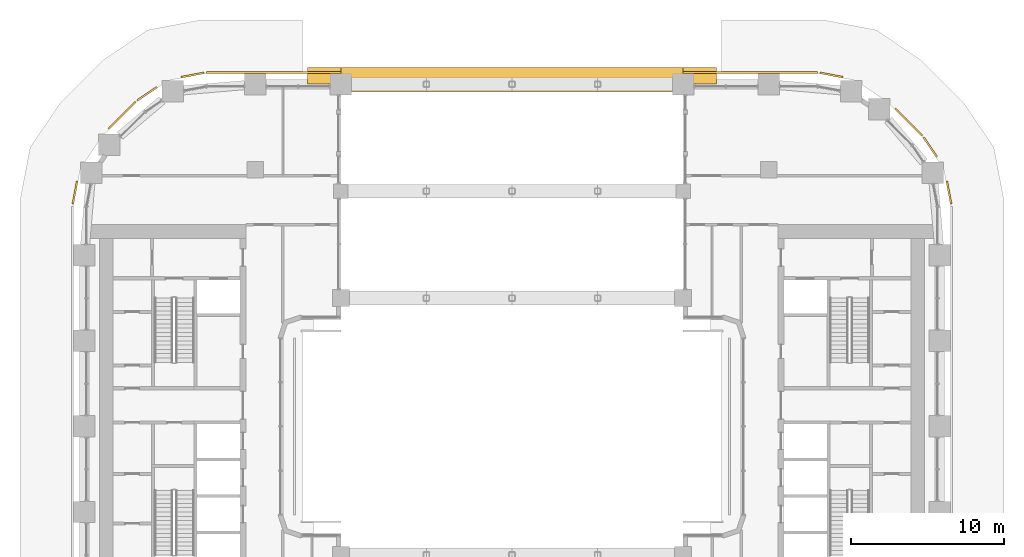
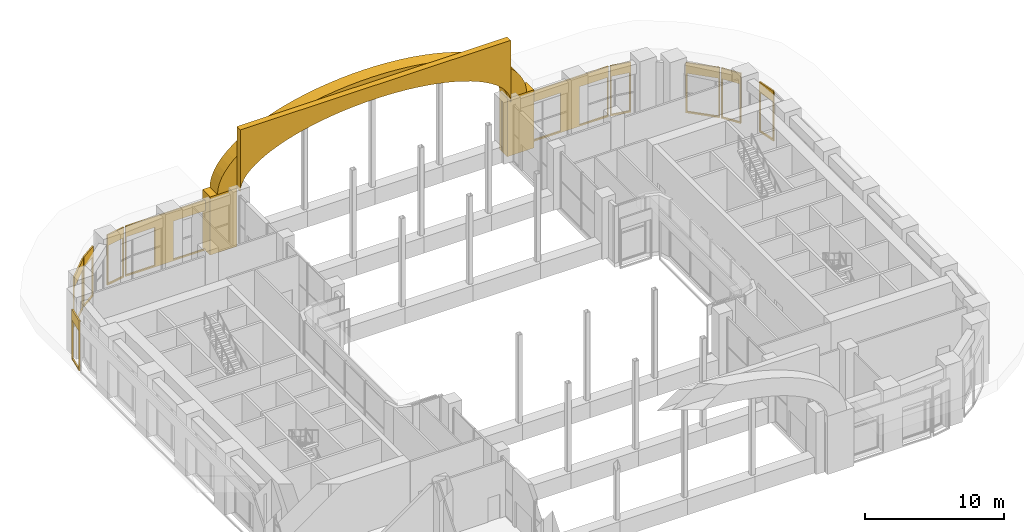
# One storey, part 27 of 27: 14 coverings.
"""IFC4 building model written with IfcOpenShell, lengths in metres."""

from ifc_helpers import new_model, si_unit, direction, frame, origin, origin_2d, place, context, subcontext, project, spatial, polyline, rectangle, outline, extrude, material, layer, layer_set, type_object, element, save


model = new_model("IFC4")

# Units and contexts
model_context = context("Model", 3, precision=1e-05, world=origin(), true_north=direction((0.0, 1.0)))
body_context = subcontext(model_context, "Body", "Model", "MODEL_VIEW")
ifc_project = project(units=[si_unit("LENGTHUNIT", "METRE"), si_unit("AREAUNIT", "SQUARE_METRE"), si_unit("VOLUMEUNIT", "CUBIC_METRE"), si_unit("PLANEANGLEUNIT", "RADIAN"), si_unit("MASSUNIT", "GRAM", prefix="KILO")], contexts=[model_context])

# Site, building, storey
site_placement = place(None, origin())
site = spatial("IfcSite", under=ifc_project, at=site_placement, CompositionType="ELEMENT")
building_placement = place(site_placement, origin())
building = spatial("IfcBuilding", under=site, at=building_placement, Name="Kiln Ring Residences", CompositionType="ELEMENT")
storey_placement = place(building_placement, frame((0.0, 0.0, 72.5)))
storey = spatial("IfcBuildingStorey", under=building, at=storey_placement, Name="L18", CompositionType="ELEMENT", Elevation=72.5)

# Coverings
ifc_material_1 = material(Name="Concrete C35/45, exposed aggregate finish", Category="concrete")
covering_type_1 = type_object("IfcCoveringType", Name="PORTAL ARCHIVOLT 700", PredefinedType="CLADDING", material=ifc_material_1)
covering_1_placement = place(storey_placement, frame((-12.800048828125, 22.949951171875, 5.10009765625), z_axis=(0.0, 0.0, 1.0), x_axis=(1.0, 0.0, 0.0)))
element("IfcCovering", 1, at=covering_1_placement, inside=storey, type_object=covering_type_1, Name="PORTAL ARCHIVOLT L18", PredefinedType="CLADDING", context=body_context, shape_type="SweptSolid", body=[
    extrude(outline(polyline([(25.60009765625, 0.0), (25.560546875, 0.455078125), (25.4423828125, 0.9072265625), (25.246337890625, 1.35400390625), (24.973388671875, 1.792236328125), (24.625732421875, 2.219482421875), (24.204833984375, 2.633056640625), (23.7138671875, 3.030517578125), (23.155517578125, 3.4091796875), (22.533203125, 3.7666015625), (21.85107421875, 4.10107421875), (21.11279296875, 4.410400390625), (20.32373046875, 4.692138671875), (19.488037109375, 4.9453125), (18.611083984375, 5.167724609375), (17.6982421875, 5.3583984375), (16.75537109375, 5.51611328125), (15.7880859375, 5.6396484375), (14.802490234375, 5.728515625), (13.80419921875, 5.781982421875), (12.800048828125, 5.7998046875), (11.795654296875, 5.781982421875), (10.797607421875, 5.728515625), (9.81201171875, 5.6396484375), (8.844482421875, 5.51611328125), (7.901611328125, 5.3583984375), (6.989013671875, 5.167724609375), (6.112060546875, 4.9453125), (5.2763671875, 4.692138671875), (4.487060546875, 4.410400390625), (3.7490234375, 4.10107421875), (3.06689453125, 3.7666015625), (2.444580078125, 3.4091796875), (1.88623046875, 3.030517578125), (1.39501953125, 2.633056640625), (0.974365234375, 2.219482421875), (0.62646484375, 1.792236328125), (0.353759765625, 1.35400390625), (0.15771484375, 0.9072265625), (0.03955078125, 0.455078125), (0.0, 0.0), (1.60009765625, 0.0), (1.634521484375, 0.329345703125), (1.73779296875, 0.656982421875), (1.909423828125, 0.98046875), (2.148193359375, 1.2978515625), (2.452392578125, 1.607177734375), (2.82080078125, 1.90673828125), (3.25048828125, 2.1943359375), (3.739013671875, 2.468505859375), (4.283447265625, 2.7275390625), (4.88037109375, 2.9697265625), (5.526123046875, 3.193603515625), (6.216796875, 3.397705078125), (6.947998046875, 3.5810546875), (7.71533203125, 3.7421875), (8.513916015625, 3.880126953125), (9.339111328125, 3.994384765625), (10.185302734375, 4.083984375), (11.0478515625, 4.148193359375), (11.92138671875, 4.18701171875), (12.800048828125, 4.199951171875), (13.6787109375, 4.18701171875), (14.552001953125, 4.148193359375), (15.41455078125, 4.083984375), (16.260986328125, 3.994384765625), (17.086181640625, 3.880126953125), (17.884765625, 3.7421875), (18.652099609375, 3.5810546875), (19.38330078125, 3.397705078125), (20.07373046875, 3.193603515625), (20.719482421875, 2.9697265625), (21.31640625, 2.7275390625), (21.861083984375, 2.468505859375), (22.349609375, 2.1943359375), (22.779296875, 1.90673828125), (23.1474609375, 1.607177734375), (23.451904296875, 1.2978515625), (23.6904296875, 0.98046875), (23.862060546875, 0.656982421875), (23.965576171875, 0.329345703125), (24.0, 0.0), (25.60009765625, 0.0)])), frame((0.0, 0.550048828125, 0.0), z_axis=(0.0, -1.0, 0.0), x_axis=(1.0, 0.0, 0.0)), (0.0, 0.0, 1.0), 1.10009765625),
])
ifc_material_2 = material(Name="Concrete C35/45, exposed aggregate finish", Category="concrete")
covering_type_2 = type_object("IfcCoveringType", Name="PORTAL JAMB 1400 x 700", PredefinedType="CLADDING", material=ifc_material_2)
for number, where, z_axis, x_axis, name in (
    (2, (-12.300048828125, 22.949951171875, 0.0), (0.0, 0.0, 1.0), (1.0, 0.0, 0.0), "PORTAL JAMB L18"),
    (3, (12.300048828125, 22.949951171875, 0.0), (0.0, 0.0, 1.0), (1.0, 0.0, 0.0), "PORTAL JAMB L18"),
):
    element("IfcCovering", number, at=place(storey_placement, frame(where, z_axis=z_axis, x_axis=x_axis)), inside=storey, type_object=covering_type_2, Name=name, PredefinedType="CLADDING", context=body_context, shape_type="SweptSolid", body=[
        extrude(rectangle(XDim=2.199951171875, YDim=1.10009765625, at=origin_2d()), origin(), (0.0, 0.0, 1.0), 5.10009765625),
    ])
ifc_material_3 = material(Name="Concrete C35/45, exposed aggregate finish", Category="concrete")
ifc_layer_1 = layer(ifc_material_3, 0.5)
ifc_layer_set_1 = layer_set([ifc_layer_1], Name="PORTAL TYMPANUM 500")
covering_type_3 = type_object("IfcCoveringType", Name="PORTAL TYMPANUM 500", PredefinedType="CLADDING", material=ifc_layer_set_1)
covering_2_placement = place(storey_placement, frame((-11.199951171875, 22.14990234375, 5.10009765625), z_axis=(0.0, 0.0, 1.0), x_axis=(1.0, 0.0, 0.0)))
element("IfcCovering", 4, at=covering_2_placement, inside=storey, type_object=covering_type_3, Name="PORTAL TYMPANUM L18", PredefinedType="CLADDING", context=body_context, shape_type="SweptSolid", body=[
    extrude(outline(polyline([(0.0, 0.0), (0.0, 5.39990234375), (22.39990234375, 5.39990234375), (22.39990234375, 0.0), (22.365478515625, 0.329345703125), (22.26220703125, 0.656982421875), (22.090576171875, 0.98046875), (21.851806640625, 1.2978515625), (21.547607421875, 1.607177734375), (21.17919921875, 1.90673828125), (20.74951171875, 2.1943359375), (20.260986328125, 2.468505859375), (19.716552734375, 2.7275390625), (19.11962890625, 2.9697265625), (18.473876953125, 3.193603515625), (17.783203125, 3.397705078125), (17.052001953125, 3.5810546875), (16.28466796875, 3.7421875), (15.486083984375, 3.880126953125), (14.660888671875, 3.994384765625), (13.814697265625, 4.083984375), (12.9521484375, 4.148193359375), (12.07861328125, 4.18701171875), (11.199951171875, 4.199951171875), (10.3212890625, 4.18701171875), (9.447998046875, 4.148193359375), (8.58544921875, 4.083984375), (7.739013671875, 3.994384765625), (6.913818359375, 3.880126953125), (6.115234375, 3.7421875), (5.347900390625, 3.5810546875), (4.61669921875, 3.397705078125), (3.92626953125, 3.193603515625), (3.280517578125, 2.9697265625), (2.68359375, 2.7275390625), (2.138916015625, 2.468505859375), (1.650390625, 2.1943359375), (1.220703125, 1.90673828125), (0.8525390625, 1.607177734375), (0.548095703125, 1.2978515625), (0.3095703125, 0.98046875), (0.137939453125, 0.656982421875), (0.034423828125, 0.329345703125), (0.0, 0.0)])), frame((0.0, 0.25, 0.0), z_axis=(0.0, -1.0, 0.0), x_axis=(1.0, 0.0, 0.0)), (0.0, 0.0, 1.0), 0.5),
])
ifc_material_4 = material(Name="Brick masonry, dark clay brick", Category="masonry")
ifc_layer_2 = layer(ifc_material_4, 0.1201171875)
ifc_layer_set_2 = layer_set([ifc_layer_2], Name="RAINSCREEN PANEL 120")
covering_type_4 = type_object("IfcCoveringType", Name="RAINSCREEN PANEL 120", PredefinedType="CLADDING", material=ifc_layer_set_2)
covering_3_placement = place(storey_placement, frame((-11.199951171875, 23.159912109375, 0.0), z_axis=(0.0, 0.0, 1.0), x_axis=(-1.0, 0.0, 0.0)))
element("IfcCovering", 5, at=covering_3_placement, inside=storey, type_object=covering_type_4, Name="RAINSCREEN L18", PredefinedType="CLADDING", context=body_context, shape_type="SweptSolid", body=[
    extrude(outline(polyline([(0.0, 0.0), (8.800048828125, 0.0), (8.800048828125, 4.39990234375), (0.0, 4.39990234375), (0.0, 0.0)]), holes=[polyline([(4.820068359375, 3.469970703125), (0.780029296875, 3.469970703125), (0.780029296875, 0.1298828125), (4.820068359375, 0.1298828125), (4.820068359375, 3.469970703125)]), polyline([(8.719970703125, 3.469970703125), (6.3798828125, 3.469970703125), (6.3798828125, 0.1298828125), (8.719970703125, 0.1298828125), (8.719970703125, 3.469970703125)])]), frame((0.0, 0.06005859375, 0.0), z_axis=(0.0, -1.0, 0.0), x_axis=(1.0, 0.0, 0.0)), (0.0, 0.0, 1.0), 0.1201171875),
])
for number, where, z_axis, x_axis, name in (
    (6, (-20.142333984375, 23.146484375, 0.0), (0.0, 0.0, 1.0), (-0.982297345734, -0.187328386968, 0.0), "RAINSCREEN L18"),
    (7, (-23.2373046875, 22.206298828125, 0.0), (0.0, 0.0, 1.0), (-0.827019875346, -0.562172683241, 0.0), "RAINSCREEN L18"),
):
    element("IfcCovering", number, at=place(storey_placement, frame(where, z_axis=z_axis, x_axis=x_axis)), inside=storey, type_object=covering_type_4, Name=name, PredefinedType="CLADDING", context=body_context, shape_type="SweptSolid", body=[
        extrude(outline(polyline([(0.0, 0.0), (1.55615234375, 0.0), (1.55615234375, 4.39990234375), (0.0, 4.39990234375), (0.0, 0.0)]), holes=[polyline([(0.080078125, 3.469970703125), (0.080078125, 0.1298828125), (1.47607421875, 0.1298828125), (1.47607421875, 3.469970703125), (0.080078125, 3.469970703125)])]), frame((0.0, 0.06005859375, 0.0), z_axis=(0.0, -1.0, 0.0), x_axis=(1.0, 0.0, 0.0)), (0.0, 0.0, 1.0), 0.1201171875),
    ])
covering_4_placement = place(storey_placement, frame((-24.634521484375, 21.240234375, 0.0), z_axis=(0.0, 0.0, 1.0), x_axis=(-0.707155609469, -0.707057949532, 0.0)))
element("IfcCovering", 8, at=covering_4_placement, inside=storey, type_object=covering_type_4, Name="RAINSCREEN L18", PredefinedType="CLADDING", context=body_context, shape_type="SweptSolid", body=[
    extrude(outline(polyline([(0.0, 0.0), (2.5, 0.0), (2.5, 4.39990234375), (0.0, 4.39990234375), (0.0, 0.0)]), holes=[polyline([(0.080078125, 3.469970703125), (0.080078125, 0.1298828125), (2.419921875, 0.1298828125), (2.419921875, 3.469970703125), (0.080078125, 3.469970703125)])]), frame((0.0, 0.06005859375, 0.0), z_axis=(0.0, -1.0, 0.0), x_axis=(1.0, 0.0, 0.0)), (0.0, 0.0, 1.0), 0.1201171875),
])
for number, where, z_axis, x_axis, name in (
    (9, (-28.455078125, 16.071044921875, 0.0), (0.0, 0.0, 1.0), (-0.187328386968, -0.982297345734, 0.0), "RAINSCREEN L18"),
    (10, (28.74658203125, 14.54248046875, 0.0), (0.0, 0.0, 1.0), (-0.187328386968, 0.982297345734, 0.0), "RAINSCREEN L18"),
    (11, (27.80615234375, 17.63720703125, 0.0), (0.0, 0.0, 1.0), (-0.562099743321, 0.827069452076, 0.0), "RAINSCREEN L18"),
):
    element("IfcCovering", number, at=place(storey_placement, frame(where, z_axis=z_axis, x_axis=x_axis)), inside=storey, type_object=covering_type_4, Name=name, PredefinedType="CLADDING", context=body_context, shape_type="SweptSolid", body=[
        extrude(outline(polyline([(0.0, 0.0), (1.55615234375, 0.0), (1.55615234375, 4.39990234375), (0.0, 4.39990234375), (0.0, 0.0)]), holes=[polyline([(0.080078125, 3.469970703125), (0.080078125, 0.1298828125), (1.47607421875, 0.1298828125), (1.47607421875, 3.469970703125), (0.080078125, 3.469970703125)])]), frame((0.0, 0.06005859375, 0.0), z_axis=(0.0, -1.0, 0.0), x_axis=(1.0, 0.0, 0.0)), (0.0, 0.0, 1.0), 0.1201171875),
    ])
covering_5_placement = place(storey_placement, frame((26.84033203125, 19.034423828125, 0.0), z_axis=(0.0, 0.0, 1.0), x_axis=(-0.707106781187, 0.707106781187, 0.0)))
element("IfcCovering", 12, at=covering_5_placement, inside=storey, type_object=covering_type_4, Name="RAINSCREEN L18", PredefinedType="CLADDING", context=body_context, shape_type="SweptSolid", body=[
    extrude(outline(polyline([(0.0, 0.0), (2.5, 0.0), (2.5, 4.39990234375), (0.0, 4.39990234375), (0.0, 0.0)]), holes=[polyline([(0.080078125, 3.469970703125), (0.080078125, 0.1298828125), (2.419921875, 0.1298828125), (2.419921875, 3.469970703125), (0.080078125, 3.469970703125)])]), frame((0.0, 0.06005859375, 0.0), z_axis=(0.0, -1.0, 0.0), x_axis=(1.0, 0.0, 0.0)), (0.0, 0.0, 1.0), 0.1201171875),
])
covering_6_placement = place(storey_placement, frame((21.6708984375, 22.85498046875, 0.0), z_axis=(0.0, 0.0, 1.0), x_axis=(-0.982297345734, 0.187328386968, 0.0)))
element("IfcCovering", 13, at=covering_6_placement, inside=storey, type_object=covering_type_4, Name="RAINSCREEN L18", PredefinedType="CLADDING", context=body_context, shape_type="SweptSolid", body=[
    extrude(outline(polyline([(0.0, 0.0), (1.55615234375, 0.0), (1.55615234375, 4.39990234375), (0.0, 4.39990234375), (0.0, 0.0)]), holes=[polyline([(0.080078125, 3.469970703125), (0.080078125, 0.1298828125), (1.47607421875, 0.1298828125), (1.47607421875, 3.469970703125), (0.080078125, 3.469970703125)])]), frame((0.0, 0.06005859375, 0.0), z_axis=(0.0, -1.0, 0.0), x_axis=(1.0, 0.0, 0.0)), (0.0, 0.0, 1.0), 0.1201171875),
])
covering_7_placement = place(storey_placement, frame((20.0, 23.159912109375, 0.0), z_axis=(0.0, 0.0, 1.0), x_axis=(-1.0, 0.0, 0.0)))
element("IfcCovering", 14, at=covering_7_placement, inside=storey, type_object=covering_type_4, Name="RAINSCREEN L18", PredefinedType="CLADDING", context=body_context, shape_type="SweptSolid", body=[
    extrude(outline(polyline([(0.0, 0.0), (8.800048828125, 0.0), (8.800048828125, 4.39990234375), (0.0, 4.39990234375), (0.0, 0.0)]), holes=[polyline([(2.419921875, 3.469970703125), (0.080078125, 3.469970703125), (0.080078125, 0.1298828125), (2.419921875, 0.1298828125), (2.419921875, 3.469970703125)]), polyline([(8.02001953125, 3.469970703125), (3.97998046875, 3.469970703125), (3.97998046875, 0.1298828125), (8.02001953125, 0.1298828125), (8.02001953125, 3.469970703125)])]), frame((0.0, 0.06005859375, 0.0), z_axis=(0.0, -1.0, 0.0), x_axis=(1.0, 0.0, 0.0)), (0.0, 0.0, 1.0), 0.1201171875),
])

save(model, "model.ifc")
